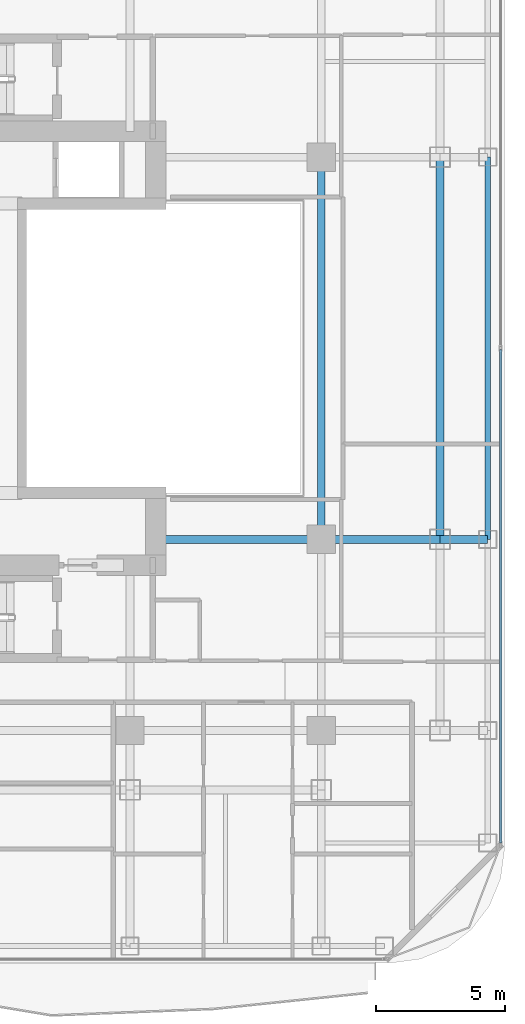
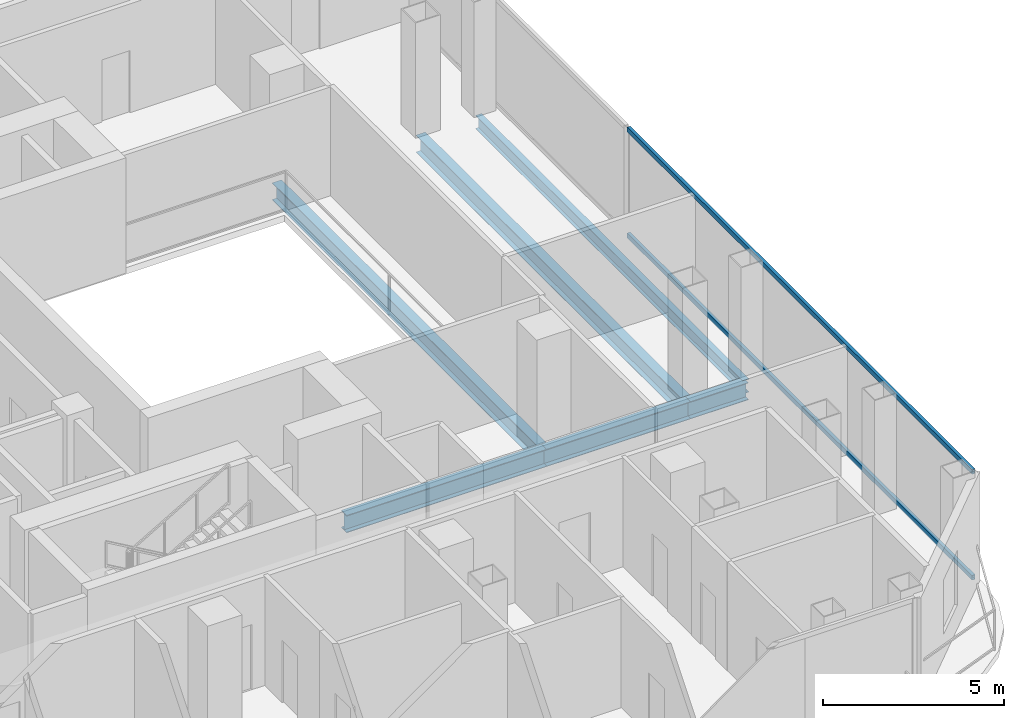
# One storey, part 8 of 25: 6 beams, 2 members, 1 element without a shape of its own.
"""IFC4 building model written with IfcOpenShell, lengths in metres."""

from ifc_helpers import new_model, si_unit, direction, frame, origin, origin_2d, place, context, subcontext, project, spatial, hollow_rectangle, i_section, extrude, material, layer, layer_set, material_profile, profile_set, type_object, element, aggregate, save


model = new_model("IFC4")

# Units and contexts
model_context = context("Model", 3, precision=1e-05, world=origin(), true_north=direction((0.0, 1.0)))
body_context = subcontext(model_context, "Body", "Model", "MODEL_VIEW")
ifc_project = project(units=[si_unit("LENGTHUNIT", "METRE"), si_unit("AREAUNIT", "SQUARE_METRE"), si_unit("VOLUMEUNIT", "CUBIC_METRE"), si_unit("PLANEANGLEUNIT", "RADIAN"), si_unit("MASSUNIT", "GRAM", prefix="KILO")], contexts=[model_context])

# Site, building, storey
site_placement = place(None, origin())
site = spatial("IfcSite", under=ifc_project, at=site_placement, CompositionType="ELEMENT")
building_placement = place(site_placement, origin())
building = spatial("IfcBuilding", under=site, at=building_placement, Name="Khorvyn Point Tower", CompositionType="ELEMENT")
storey_placement = place(building_placement, frame((0.0, 0.0, 171.89990234375)))
storey = spatial("IfcBuildingStorey", under=building, at=storey_placement, Name="L42", CompositionType="ELEMENT", Elevation=171.89990234375)

# Curtain wall, members
ifc_material_1 = material(Name="Anodised aluminium 6063-T6 and laminated Low-E glass", Category="aluminium")
ifc_layer = layer(ifc_material_1, 0.18994140625)
ifc_layer_set = layer_set([ifc_layer], Name="Stick-Built Acoustic Curtain Wall CW-SYS-03")
curtain_wall_type = type_object("IfcCurtainWallType", Name="Stick-Built Acoustic Curtain Wall CW-SYS-03", PredefinedType="NOTDEFINED", material=ifc_layer_set)
curtain_wall_placement = place(storey_placement, origin())
curtain_wall = element("IfcCurtainWall", 1, at=curtain_wall_placement, inside=storey, type_object=curtain_wall_type, Name="Curtain Wall", PredefinedType="NOTDEFINED")
ifc_material_2 = material(Name="Anodised aluminium 6063-T6", Category="aluminium")
ifc_material_profile_1 = material_profile(ifc_material_2, hollow_rectangle(XDim=0.10009765625, YDim=0.159912109375, WallThickness=0.00439453125, at=origin_2d()))
ifc_profile_set_1 = profile_set([ifc_material_profile_1], Name="Anodised aluminium 6063-T6 ALU-TRN-100x160")
member_type = type_object("IfcMemberType", Name="Anodised Aluminium 6063-T6 Transom ALU-TRN-100x160", PredefinedType="USERDEFINED", material=ifc_profile_set_1)
member_1_placement = place(storey_placement, frame((21.75, -0.050048828125, 0.050048828125), z_axis=(0.0, -1.0, 0.0), x_axis=(1.0, 0.0, 0.0)))
member_1 = element("IfcMember", 2, at=member_1_placement, type_object=member_type, Name="Transom", ObjectType="TRANSOM", PredefinedType="USERDEFINED", context=body_context, shape_type="SweptSolid", body=[
    extrude(hollow_rectangle(XDim=0.10009765625, YDim=0.159912109375, WallThickness=0.00439453125, at=origin_2d()), origin(), (0.0, 0.0, 1.0), 19.099853515625),
])
member_2_placement = place(storey_placement, frame((21.75, -0.050048828125, 3.630126953125), z_axis=(0.0, -1.0, 0.0), x_axis=(1.0, 0.0, 0.0)))
member_2 = element("IfcMember", 3, at=member_2_placement, type_object=member_type, Name="Transom", ObjectType="TRANSOM", PredefinedType="USERDEFINED", context=body_context, shape_type="SweptSolid", body=[
    extrude(hollow_rectangle(XDim=0.10009765625, YDim=0.159912109375, WallThickness=0.00439453125, at=origin_2d()), origin(), (0.0, 0.0, 1.0), 19.099853515625),
])
aggregate(curtain_wall, [member_1, member_2])

# Beams
ifc_material_3 = material(Name="Steel S355", Category="steel")
ifc_material_profile_2 = material_profile(ifc_material_3, i_section(OverallWidth=0.300048828125, OverallDepth=0.587890625, WebThickness=0.011962890625, FlangeThickness=0.02001953125, at=origin_2d()))
ifc_profile_set_2 = profile_set([ifc_material_profile_2], Name="Steel S355 H588x300x12x20")
beam_type_1 = type_object("IfcBeamType", Name="Steel S355 Beam H588x300x12x20", PredefinedType="BEAM", material=ifc_profile_set_2)
beam_1_placement = place(storey_placement, frame((8.39990234375, -7.39990234375, -0.513916015625), z_axis=(1.0, 0.0, 0.0), x_axis=(0.0, 1.0, 0.0)))
element("IfcBeam", 4, at=beam_1_placement, inside=storey, type_object=beam_type_1, Name="Beam", PredefinedType="BEAM", context=body_context, shape_type="SweptSolid", body=[
    extrude(i_section(OverallWidth=0.300048828125, OverallDepth=0.587890625, WebThickness=0.011962890625, FlangeThickness=0.02001953125, at=origin_2d()), origin(), (0.0, 0.0, 1.0), 6.400146484375),
])
beam_2_placement = place(storey_placement, frame((14.800048828125, -7.39990234375, -0.513916015625), z_axis=(1.0, 0.0, 0.0), x_axis=(0.0, 1.0, 0.0)))
element("IfcBeam", 5, at=beam_2_placement, inside=storey, type_object=beam_type_1, Name="Beam", PredefinedType="BEAM", context=body_context, shape_type="SweptSolid", body=[
    extrude(i_section(OverallWidth=0.300048828125, OverallDepth=0.587890625, WebThickness=0.011962890625, FlangeThickness=0.02001953125, at=origin_2d()), origin(), (0.0, 0.0, 1.0), 4.599853515625),
])
beam_3_placement = place(storey_placement, frame((19.39990234375, -7.39990234375, -0.513916015625), z_axis=(1.0, 0.0, 0.0), x_axis=(0.0, 1.0, 0.0)))
element("IfcBeam", 6, at=beam_3_placement, inside=storey, type_object=beam_type_1, Name="Beam", PredefinedType="BEAM", context=body_context, shape_type="SweptSolid", body=[
    extrude(i_section(OverallWidth=0.300048828125, OverallDepth=0.587890625, WebThickness=0.011962890625, FlangeThickness=0.02001953125, at=origin_2d()), origin(), (0.0, 0.0, 1.0), 1.85009765625),
])
for number, where, z_axis, x_axis, name in (
    (7, (14.800048828125, -7.39990234375, -0.513916015625), (0.0, 1.0, 0.0), (-1.0, 0.0, 0.0), "Beam"),
    (8, (19.39990234375, -7.39990234375, -0.513916015625), (0.0, 1.0, 0.0), (-1.0, 0.0, 0.0), "Beam"),
):
    element("IfcBeam", number, at=place(storey_placement, frame(where, z_axis=z_axis, x_axis=x_axis)), inside=storey, type_object=beam_type_1, Name=name, PredefinedType="BEAM", context=body_context, shape_type="SweptSolid", body=[
        extrude(i_section(OverallWidth=0.300048828125, OverallDepth=0.587890625, WebThickness=0.011962890625, FlangeThickness=0.02001953125, at=origin_2d()), origin(), (0.0, 0.0, 1.0), 14.7998046875),
    ])
ifc_material_profile_3 = material_profile(ifc_material_3, i_section(OverallWidth=0.199951171875, OverallDepth=0.449951171875, WebThickness=0.009033203125, FlangeThickness=0.013916015625, at=origin_2d()))
ifc_profile_set_3 = profile_set([ifc_material_profile_3], Name="Steel S355 H450x200x9x14")
beam_type_2 = type_object("IfcBeamType", Name="Steel S355 Spandrel H450x200x9x14", PredefinedType="SPANDREL", material=ifc_profile_set_3)
beam_4_placement = place(storey_placement, frame((21.25, -7.39990234375, -0.44482421875), z_axis=(0.0, 1.0, 0.0), x_axis=(-1.0, 0.0, 0.0)))
element("IfcBeam", 9, at=beam_4_placement, inside=storey, type_object=beam_type_2, Name="Beam", PredefinedType="SPANDREL", context=body_context, shape_type="SweptSolid", body=[
    extrude(i_section(OverallWidth=0.199951171875, OverallDepth=0.449951171875, WebThickness=0.009033203125, FlangeThickness=0.013916015625, at=origin_2d()), origin(), (0.0, 0.0, 1.0), 14.7998046875),
])

save(model, "model.ifc")
